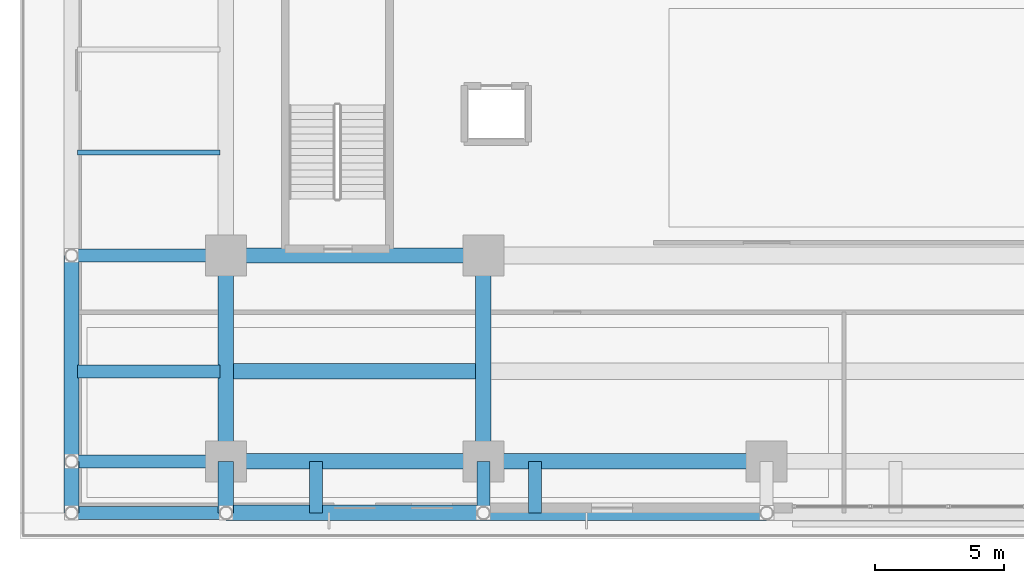
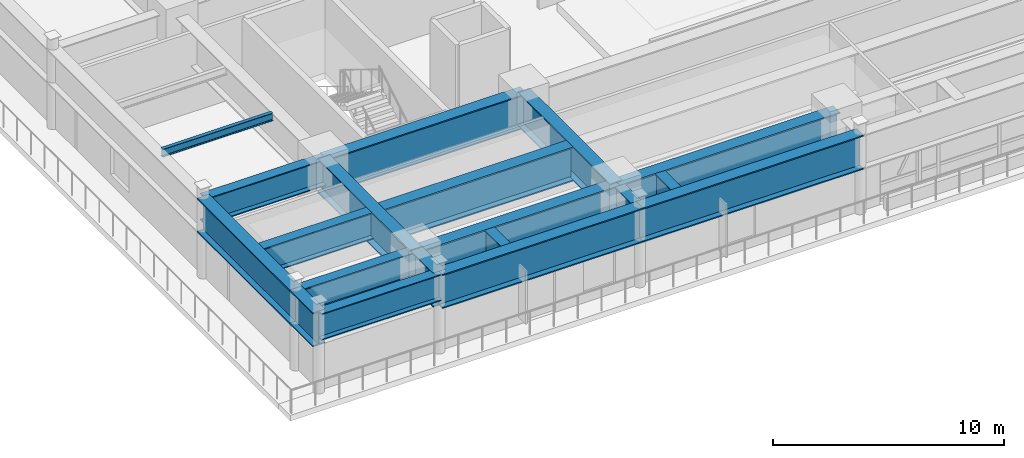
# One storey, part 6 of 35: 19 beams.
"""IFC4 building model written with IfcOpenShell, lengths in metres."""

from ifc_helpers import new_model, si_unit, direction, frame, origin, origin_2d, place, context, subcontext, project, spatial, i_section, extrude, source, transform, mapped, material, material_profile, profile_set, type_object, element, save


model = new_model("IFC4")

# Units and contexts
model_context = context("Model", 3, precision=1e-05, world=origin(), true_north=direction((0.0, 1.0)))
body_context = subcontext(model_context, "Body", "Model", "MODEL_VIEW")
ifc_project = project(units=[si_unit("LENGTHUNIT", "METRE"), si_unit("AREAUNIT", "SQUARE_METRE"), si_unit("VOLUMEUNIT", "CUBIC_METRE"), si_unit("PLANEANGLEUNIT", "RADIAN"), si_unit("MASSUNIT", "GRAM", prefix="KILO")], contexts=[model_context])

# Site, building, storey
site_placement = place(None, origin())
site = spatial("IfcSite", under=ifc_project, at=site_placement, CompositionType="ELEMENT")
building_placement = place(site_placement, origin())
building = spatial("IfcBuilding", under=site, at=building_placement, Name="Khorayat Bourse Tower", CompositionType="ELEMENT")
storey_placement = place(building_placement, frame((0.0, 0.0, 22.199951171875)))
storey = spatial("IfcBuildingStorey", under=building, at=storey_placement, Name="L04", CompositionType="ELEMENT", Elevation=22.199951171875)

# Beams
ifc_material_1 = material(Name="Steel EN 10025-4 S460M", Category="steel")
ifc_material_profile_1 = material_profile(ifc_material_1, i_section(OverallWidth=0.60009765625, OverallDepth=1.800048828125, WebThickness=0.031982421875, FlangeThickness=0.06005859375, at=origin_2d()), Name="PG 1800x600x32x60")
ifc_profile_set_1 = profile_set([ifc_material_profile_1], Name="Steel EN 10025-4 S460M")
beam_type_1 = type_object("IfcBeamType", Name="BM-TR-1800", PredefinedType="BEAM", material=ifc_profile_set_1)
shared_shape_1 = source(origin(), body_context, "Body", "SweptSolid", [
    extrude(i_section(OverallWidth=0.60009765625, OverallDepth=1.800048828125, WebThickness=0.031982421875, FlangeThickness=0.06005859375, at=origin_2d()), origin(), (0.0, 0.0, 1.0), 10.0),
])
for number, where, z_axis, x_axis, name in (
    (1, (-32.0, -34.0, 3.300048828125), (1.0, 0.0, 0.0), (0.0, 1.0, 0.0), "L04 BM-TR-1800 BM-L04-PGX-025"),
    (2, (-32.0, -32.0, 3.300048828125), (1.0, 0.0, 0.0), (0.0, 1.0, 0.0), "L04 BM-TR-1800 BM-L04-PGX-032"),
    (3, (-32.0, -24.0, 3.300048828125), (1.0, 0.0, 0.0), (0.0, 1.0, 0.0), "L04 BM-TR-1800 BM-L04-PGX-045"),
):
    element("IfcBeam", number, at=place(storey_placement, frame(where, z_axis=z_axis, x_axis=x_axis)), inside=storey, type_object=beam_type_1, Name=name, PredefinedType="BEAM", context=body_context, shape_type="MappedRepresentation", body=[
        mapped(shared_shape_1, transform((0.0, 0.0, 0.0), scale=1.0)),
    ])
shared_shape_2 = source(origin(), body_context, "Body", "SweptSolid", [
    extrude(i_section(OverallWidth=0.60009765625, OverallDepth=1.800048828125, WebThickness=0.031982421875, FlangeThickness=0.06005859375, at=origin_2d()), origin(), (0.0, 0.0, 1.0), 11.0),
])
for number, where, z_axis, x_axis, name in (
    (4, (-22.0, -34.0, 3.300048828125), (1.0, 0.0, 0.0), (0.0, 1.0, 0.0), "L04 BM-TR-1800 BM-L04-PGX-026"),
    (5, (-22.0, -32.0, 3.300048828125), (1.0, 0.0, 0.0), (0.0, 1.0, 0.0), "L04 BM-TR-1800 BM-L04-PGX-033"),
):
    element("IfcBeam", number, at=place(storey_placement, frame(where, z_axis=z_axis, x_axis=x_axis)), inside=storey, type_object=beam_type_1, Name=name, PredefinedType="BEAM", context=body_context, shape_type="MappedRepresentation", body=[
        mapped(shared_shape_2, transform((0.0, 0.0, 0.0), scale=1.0)),
    ])
shared_shape_3 = source(origin(), body_context, "Body", "SweptSolid", [
    extrude(i_section(OverallWidth=0.60009765625, OverallDepth=1.800048828125, WebThickness=0.031982421875, FlangeThickness=0.06005859375, at=origin_2d()), origin(), (0.0, 0.0, 1.0), 8.0),
])
for number, where, z_axis, x_axis, name in (
    (6, (-38.0, -32.0, 3.300048828125), (0.0, 1.0, 0.0), (-1.0, 0.0, 0.0), "L04 BM-TR-1800 BM-L04-PGY-099"),
    (7, (-32.0, -32.0, 3.300048828125), (0.0, 1.0, 0.0), (-1.0, 0.0, 0.0), "L04 BM-TR-1800 BM-L04-PGY-106"),
    (8, (-22.0, -32.0, 3.300048828125), (0.0, 1.0, 0.0), (-1.0, 0.0, 0.0), "L04 BM-TR-1800 BM-L04-PGY-116"),
):
    element("IfcBeam", number, at=place(storey_placement, frame(where, z_axis=z_axis, x_axis=x_axis)), inside=storey, type_object=beam_type_1, Name=name, PredefinedType="BEAM", context=body_context, shape_type="MappedRepresentation", body=[
        mapped(shared_shape_3, transform((0.0, 0.0, 0.0), scale=1.0)),
    ])
ifc_material_profile_2 = material_profile(ifc_material_1, i_section(OverallWidth=0.5, OverallDepth=1.39990234375, WebThickness=0.02490234375, FlangeThickness=0.050048828125, at=origin_2d()), Name="PG 1400x500x25x50")
ifc_profile_set_2 = profile_set([ifc_material_profile_2], Name="Steel EN 10025-4 S460M")
beam_type_2 = type_object("IfcBeamType", Name="BM-TR-1400", PredefinedType="BEAM", material=ifc_profile_set_2)
shared_shape_4 = source(origin(), body_context, "Body", "SweptSolid", [
    extrude(i_section(OverallWidth=0.5, OverallDepth=1.39990234375, WebThickness=0.02490234375, FlangeThickness=0.050048828125, at=origin_2d()), origin(), (0.0, 0.0, 1.0), 6.0),
])
for number, where, z_axis, x_axis, name in (
    (9, (-38.0, -34.0, 3.5), (1.0, 0.0, 0.0), (0.0, 1.0, 0.0), "L04 BM-TR-1400 BM-L04-PGX-024"),
    (10, (-38.0, -32.0, 3.5), (1.0, 0.0, 0.0), (0.0, 1.0, 0.0), "L04 BM-TR-1400 BM-L04-PGX-031"),
    (11, (-38.0, -24.0, 3.5), (1.0, 0.0, 0.0), (0.0, 1.0, 0.0), "L04 BM-TR-1400 BM-L04-PGX-044"),
):
    element("IfcBeam", number, at=place(storey_placement, frame(where, z_axis=z_axis, x_axis=x_axis)), inside=storey, type_object=beam_type_2, Name=name, PredefinedType="BEAM", context=body_context, shape_type="MappedRepresentation", body=[
        mapped(shared_shape_4, transform((0.0, 0.0, 0.0), scale=1.0)),
    ])
shared_shape_5 = source(origin(), body_context, "Body", "SweptSolid", [
    extrude(i_section(OverallWidth=0.5, OverallDepth=1.39990234375, WebThickness=0.02490234375, FlangeThickness=0.050048828125, at=origin_2d()), origin(), (0.0, 0.0, 1.0), 5.52001953125),
])
beam_1_placement = place(storey_placement, frame((-37.760009765625, -28.5, 3.5), z_axis=(1.0, 0.0, 0.0), x_axis=(0.0, 1.0, 0.0)))
element("IfcBeam", 12, at=beam_1_placement, inside=storey, type_object=beam_type_2, Name="L04 BM-TR-1400 BM-L04-PGX-039", PredefinedType="BEAM", context=body_context, shape_type="MappedRepresentation", body=[
    mapped(shared_shape_5, transform((0.0, 0.0, 0.0), scale=1.0)),
])
shared_shape_6 = source(origin(), body_context, "Body", "SweptSolid", [
    extrude(i_section(OverallWidth=0.60009765625, OverallDepth=1.800048828125, WebThickness=0.031982421875, FlangeThickness=0.06005859375, at=origin_2d()), origin(), (0.0, 0.0, 1.0), 9.52001953125),
])
beam_2_placement = place(storey_placement, frame((-31.760009765625, -28.5, 3.300048828125), z_axis=(1.0, 0.0, 0.0), x_axis=(0.0, 1.0, 0.0)))
element("IfcBeam", 13, at=beam_2_placement, inside=storey, type_object=beam_type_1, Name="L04 BM-TR-1800 BM-L04-PGX-040", PredefinedType="BEAM", context=body_context, shape_type="MappedRepresentation", body=[
    mapped(shared_shape_6, transform((0.0, 0.0, 0.0), scale=1.0)),
])
shared_shape_7 = source(origin(), body_context, "Body", "SweptSolid", [
    extrude(i_section(OverallWidth=0.60009765625, OverallDepth=1.800048828125, WebThickness=0.031982421875, FlangeThickness=0.06005859375, at=origin_2d()), origin(), (0.0, 0.0, 1.0), 2.0),
])
for number, where, z_axis, x_axis, name in (
    (14, (-38.0, -34.0, 3.300048828125), (0.0, 1.0, 0.0), (-1.0, 0.0, 0.0), "L04 BM-TR-1800 BM-L04-PGY-098"),
    (15, (-32.0, -34.0, 3.300048828125), (0.0, 1.0, 0.0), (-1.0, 0.0, 0.0), "L04 BM-TR-1800 BM-L04-PGY-105"),
):
    element("IfcBeam", number, at=place(storey_placement, frame(where, z_axis=z_axis, x_axis=x_axis)), inside=storey, type_object=beam_type_1, Name=name, PredefinedType="BEAM", context=body_context, shape_type="MappedRepresentation", body=[
        mapped(shared_shape_7, transform((0.0, 0.0, 0.0), scale=1.0)),
    ])
shared_shape_8 = source(origin(), body_context, "Body", "SweptSolid", [
    extrude(i_section(OverallWidth=0.5, OverallDepth=1.39990234375, WebThickness=0.02490234375, FlangeThickness=0.050048828125, at=origin_2d()), origin(), (0.0, 0.0, 1.0), 2.0),
])
for number, where, z_axis, x_axis, name in (
    (16, (-28.5, -34.0, 3.5), (0.0, 1.0, 0.0), (-1.0, 0.0, 0.0), "L04 BM-TR-1400 BM-L04-PGY-113"),
    (17, (-22.0, -34.0, 3.5), (0.0, 1.0, 0.0), (-1.0, 0.0, 0.0), "L04 BM-TR-1400 BM-L04-PGY-115"),
    (18, (-20.0, -34.0, 3.5), (0.0, 1.0, 0.0), (-1.0, 0.0, 0.0), "L04 BM-TR-1400 BM-L04-PGY-122"),
):
    element("IfcBeam", number, at=place(storey_placement, frame(where, z_axis=z_axis, x_axis=x_axis)), inside=storey, type_object=beam_type_2, Name=name, PredefinedType="BEAM", context=body_context, shape_type="MappedRepresentation", body=[
        mapped(shared_shape_8, transform((0.0, 0.0, 0.0), scale=1.0)),
    ])
ifc_material_2 = material(Name="Steel ASTM A992 Grade 50", Category="steel")
ifc_material_profile_3 = material_profile(ifc_material_2, i_section(OverallWidth=0.180908203125, OverallDepth=0.4169921875, WebThickness=0.010986328125, FlangeThickness=0.018310546875, FilletRadius=0.011962890625, at=origin_2d()), Name="W410X85")
ifc_profile_set_3 = profile_set([ifc_material_profile_3], Name="Steel ASTM A992 Grade 50")
beam_type_3 = type_object("IfcBeamType", Name="BM-JOIST-410", PredefinedType="JOIST", material=ifc_profile_set_3)
shared_shape_9 = source(origin(), body_context, "Body", "SweptSolid", [
    extrude(i_section(OverallWidth=0.180908203125, OverallDepth=0.4169921875, WebThickness=0.010986328125, FlangeThickness=0.018310546875, FilletRadius=0.011962890625, at=origin_2d()), origin(), (0.0, 0.0, 1.0), 5.52001953125),
])
beam_3_placement = place(storey_placement, frame((-37.760009765625, -20.0, 3.991455078125), z_axis=(1.0, 0.0, 0.0), x_axis=(0.0, 1.0, 0.0)))
element("IfcBeam", 19, at=beam_3_placement, inside=storey, type_object=beam_type_3, Name="L04 BM-JOIST-410 BM-L04-PJ-163", PredefinedType="JOIST", context=body_context, shape_type="MappedRepresentation", body=[
    mapped(shared_shape_9, transform((0.0, 0.0, 0.0), scale=1.0)),
])

save(model, "model.ifc")
